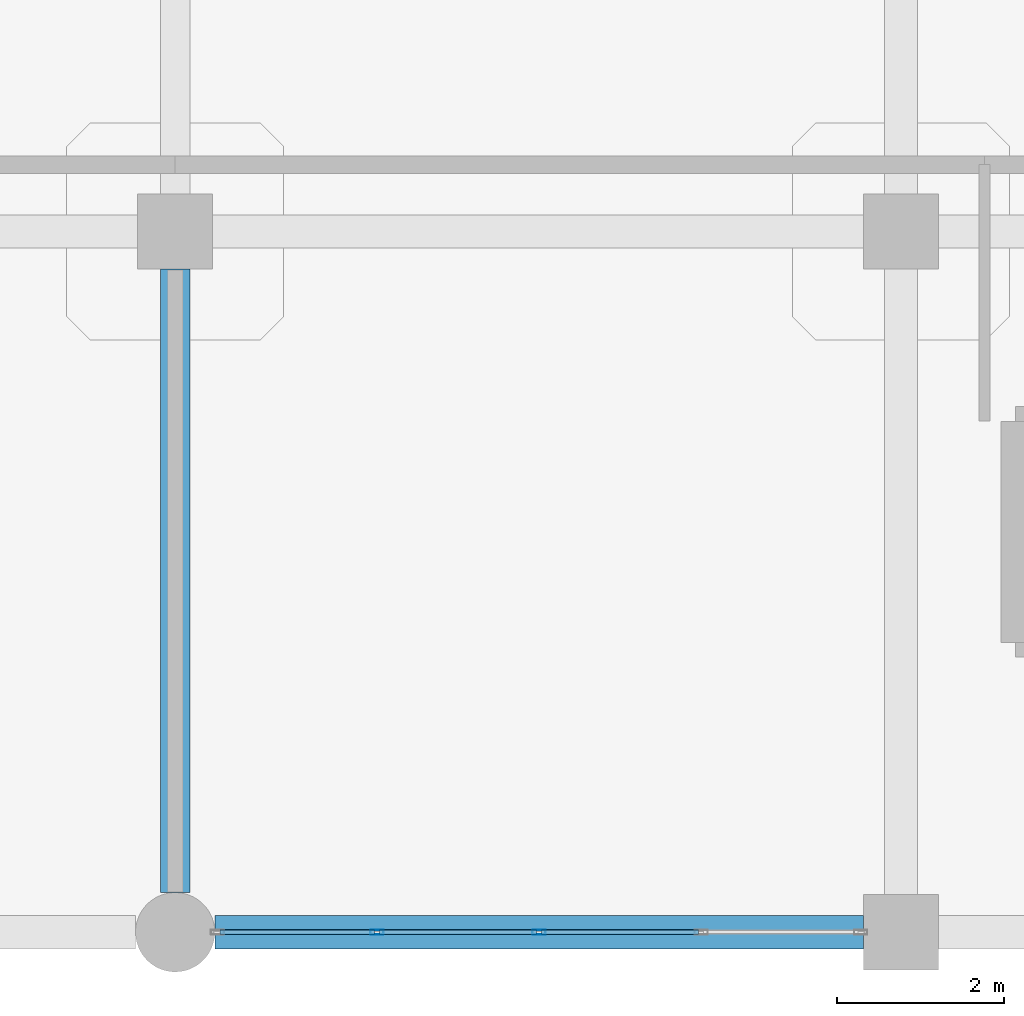
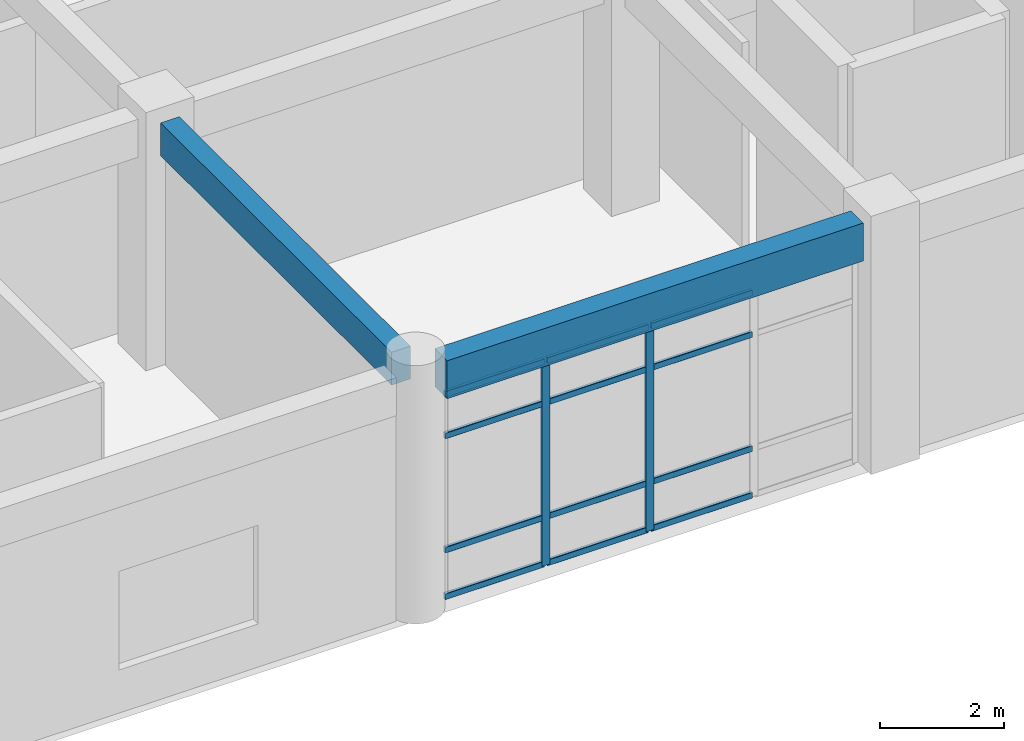
# One storey, part 31 of 120: 14 members, 2 beams, 1 element without a shape of its own.
"""IFC4 building model written with IfcOpenShell, lengths in metres."""

import ifcopenshell
import ifcopenshell.guid

model = None  # the IFC model being written
_history = None  # IfcOwnerHistory: only IFC2X3 demands one
_inside = {}  # id of a spatial element -> (the spatial element, [elements in it])
_under = {}  # id of a project, library or spatial element -> (it, [spatial elements below it])
_declared = {}  # id of a project -> (the project, [libraries it declares])
_typed = {}  # id of a type object -> (the type object, [elements of that type])
_made_of = {}  # id of a material, layer set ... -> (it, [elements and type objects made of it])


def new_model(schema):
    """Start an empty IFC model of exactly this schema.

    Asked for "IFC4X3", IfcOpenShell would pick the latest addendum, in which some entities
    have other attributes; the version numbers below select the first issue.
    IFC2X3 requires an IfcOwnerHistory on every rooted entity: one is made here for all.
    """
    global model, _history
    if schema == "IFC4X3":
        model = ifcopenshell.file(schema_version=(4, 3, 0, 0))
    else:
        model = ifcopenshell.file(schema=schema)
    _inside.clear()
    _under.clear()
    _declared.clear()
    _typed.clear()
    _made_of.clear()
    _history = None
    if model.schema == "IFC2X3":
        org = make("IfcOrganization", Name="unknown")
        user = make(
            "IfcPersonAndOrganization",
            ThePerson=make("IfcPerson", FamilyName="unknown"),
            TheOrganization=org,
        )
        app = make(
            "IfcApplication",
            ApplicationDeveloper=org,
            Version="unknown",
            ApplicationFullName="unknown",
            ApplicationIdentifier="unknown",
        )
        _history = make(
            "IfcOwnerHistory",
            OwningUser=user,
            OwningApplication=app,
            ChangeAction="ADDED",
            CreationDate=0,
        )
    return model


def make(cls, **values):
    """One entity of the class cls with the attributes given. An attribute that is None is left unset."""
    return model.create_entity(
        cls, **{name: value for name, value in values.items() if value is not None}
    )


def rooted(cls, **values):
    """An entity with a GlobalId (a new one), such as an element, a storey or a relation."""
    return make(cls, GlobalId=ifcopenshell.guid.new(), OwnerHistory=_history, **values)


def si_unit(unit_type, name, prefix=None):
    """IfcSIUnit, for example si_unit("LENGTHUNIT", "METRE", prefix="MILLI")."""
    return make("IfcSIUnit", UnitType=unit_type, Prefix=prefix, Name=name)


def derived_unit(unit_type, elements):
    """IfcDerivedUnit: a product of units, each with its exponent."""
    return make(
        "IfcDerivedUnit",
        Elements=[
            make("IfcDerivedUnitElement", Unit=unit, Exponent=power)
            for unit, power in elements
        ],
        UnitType=unit_type,
    )


def assignment(units):
    """IfcUnitAssignment: the units of a project."""
    return None if units is None else make("IfcUnitAssignment", Units=units)


def point(xyz):
    """IfcCartesianPoint."""
    return None if xyz is None else make("IfcCartesianPoint", Coordinates=xyz)


def direction(xyz):
    """IfcDirection."""
    return None if xyz is None else make("IfcDirection", DirectionRatios=xyz)


def frame(location, z_axis=None, x_axis=None):
    """IfcAxis2Placement3D, a coordinate frame: its origin and axes. An axis left out is left unset."""
    return make(
        "IfcAxis2Placement3D",
        Location=point(location),
        Axis=direction(z_axis),
        RefDirection=direction(x_axis),
    )


def frame_2d(location, x_axis=None):
    """IfcAxis2Placement2D, a coordinate frame in the plane: its origin and x axis."""
    return make(
        "IfcAxis2Placement2D", Location=point(location), RefDirection=direction(x_axis)
    )


def origin():
    """The frame at (0, 0, 0) with its axes left unset."""
    return frame((0.0, 0.0, 0.0))


def origin_2d():
    """The frame at (0, 0) in the plane with its x axis left unset."""
    return frame_2d((0.0, 0.0))


def place(relative_to, where):
    """IfcLocalPlacement: puts the frame where relative to a parent placement (None: the world)."""
    return make(
        "IfcLocalPlacement", PlacementRelTo=relative_to, RelativePlacement=where
    )


def context(
    kind, dimensions, precision=None, world=None, true_north=None, identifier=None
):
    """IfcGeometricRepresentationContext, for example the 3D "Model" context."""
    return make(
        "IfcGeometricRepresentationContext",
        ContextIdentifier=identifier,
        ContextType=kind,
        CoordinateSpaceDimension=dimensions,
        Precision=precision,
        WorldCoordinateSystem=world,
        TrueNorth=true_north,
    )


def subcontext(parent, identifier, kind, view, scale=None):
    """IfcGeometricRepresentationSubContext, for example "Body" below "Model"."""
    return make(
        "IfcGeometricRepresentationSubContext",
        ContextIdentifier=identifier,
        ContextType=kind,
        ParentContext=parent,
        TargetScale=scale,
        TargetView=view,
    )


def project(units=None, contexts=None):
    """IfcProject with its units and contexts."""
    return rooted(
        "IfcProject",
        Name="project",
        RepresentationContexts=contexts,
        UnitsInContext=assignment(units),
    )


def spatial(cls, under=None, at=None, **own):
    """A site, building, storey or space (cls), placed at a placement, below another one or the project."""
    s = rooted(cls, ObjectPlacement=at, **own)
    if under is not None:
        _under.setdefault(under.id(), (under, []))[1].append(s)
    return s


def profile(cls, at=None, kind="AREA", **sizes):
    """A parametric profile (cls). Its sizes go by their IFC names, for example OverallWidth=200.0."""
    return make(cls, ProfileType=kind, Position=at, **sizes)


def rectangle(**sizes):
    """IfcRectangleProfileDef."""
    return profile("IfcRectangleProfileDef", **sizes)


def hollow_rectangle(**sizes):
    """IfcRectangleHollowProfileDef."""
    return profile("IfcRectangleHollowProfileDef", **sizes)


def extrude(swept, where, along, depth):
    """IfcExtrudedAreaSolid: the profile swept, set in the frame where, extruded along a direction by depth."""
    return make(
        "IfcExtrudedAreaSolid",
        SweptArea=swept,
        Position=where,
        ExtrudedDirection=direction(along),
        Depth=depth,
    )


def shape(context_of_items, identifier, shape_type, items):
    """IfcShapeRepresentation: the items that make up one representation, for example the "Body"."""
    return make(
        "IfcShapeRepresentation",
        ContextOfItems=context_of_items,
        RepresentationIdentifier=identifier,
        RepresentationType=shape_type,
        Items=items,
    )


def material(Name=None, Category=None):
    """IfcMaterial."""
    return make("IfcMaterial", Name=Name, Category=Category)


def layer(
    of_material, thickness, ventilated=None, Name=None, Category=None, Priority=None
):
    """IfcMaterialLayer: one layer of a wall or slab, of a material (None: an air gap)."""
    return make(
        "IfcMaterialLayer",
        Material=of_material,
        LayerThickness=thickness,
        IsVentilated=ventilated,
        Name=Name,
        Category=Category,
        Priority=Priority,
    )


def layer_set(layers, Name=None):
    """IfcMaterialLayerSet."""
    return make("IfcMaterialLayerSet", MaterialLayers=layers, LayerSetName=Name)


def material_profile(
    of_material, cross_section, Name=None, Category=None, Priority=None
):
    """IfcMaterialProfile: a cross section and its material."""
    return make(
        "IfcMaterialProfile",
        Name=Name,
        Material=of_material,
        Profile=cross_section,
        Priority=Priority,
        Category=Category,
    )


def profile_set(profiles, Name=None, composite=None):
    """IfcMaterialProfileSet."""
    return make(
        "IfcMaterialProfileSet",
        Name=Name,
        MaterialProfiles=profiles,
        CompositeProfile=composite,
    )


def made_of(thing, what):
    """Note that an element or type object is made of a material, layer set ...; save() writes the relation."""
    if what is not None:
        _made_of.setdefault(what.id(), (what, []))[1].append(thing)
    return thing


def type_object(cls, material=None, **own):
    """A type object (cls), such as IfcWallType, which elements share."""
    return made_of(rooted(cls, **own), material)


def element(
    cls,
    number,
    at=None,
    inside=None,
    cuts=None,
    type_object=None,
    material=None,
    context=None,
    identifier="Body",
    shape_type=None,
    held_by="IfcProductDefinitionShape",
    body=None,
    shapes=None,
    **own,
):
    """One element of the class cls, such as IfcWall. Its Tag is "e" and its number.

    at: its placement. inside: the storey or other place that contains it. cuts: it is an
    opening in that element (IfcRelVoidsElement). A single representation is given by context,
    identifier, shape_type and body (its items); several are given by shapes. held_by: the class
    of the entity that holds the representations. save() writes the other relations.
    """
    e = rooted(cls, Tag="e%d" % number, ObjectPlacement=at, **own)
    if body is not None:
        shapes = [shape(context, identifier, shape_type, body)]
    if shapes is not None:
        e.Representation = make(held_by, Representations=shapes)
    if inside is not None:
        _inside.setdefault(inside.id(), (inside, []))[1].append(e)
    if cuts is not None:
        rooted(
            "IfcRelVoidsElement", RelatingBuildingElement=cuts, RelatedOpeningElement=e
        )
    if type_object is not None:
        _typed.setdefault(type_object.id(), (type_object, []))[1].append(e)
    return made_of(e, material)


def aggregate(whole, parts):
    """IfcRelAggregates: a whole, such as a stair, and the parts it consists of."""
    return rooted("IfcRelAggregates", RelatingObject=whole, RelatedObjects=parts)


def save(model, path):
    """Write the relations noted so far, then the file.

    IfcRelAggregates (storeys below a building ...), IfcRelContainedInSpatialStructure (elements
    in a storey), IfcRelDefinesByType, IfcRelAssociatesMaterial and IfcRelDeclares: one each for
    every whole, place, type object, material and project.
    """
    for whole, parts in _under.values():
        aggregate(whole, parts)
    for where, things in _inside.values():
        rooted(
            "IfcRelContainedInSpatialStructure",
            RelatedElements=things,
            RelatingStructure=where,
        )
    for kind, things in _typed.values():
        rooted("IfcRelDefinesByType", RelatedObjects=things, RelatingType=kind)
    for what, things in _made_of.values():
        rooted("IfcRelAssociatesMaterial", RelatedObjects=things, RelatingMaterial=what)
    for by, libraries in _declared.values():
        rooted("IfcRelDeclares", RelatingContext=by, RelatedDefinitions=libraries)
    model.write(path)


model = new_model("IFC4")

# Units and contexts
model_context = context("Model", 3, precision=1e-05, world=origin(), true_north=direction((0.0, 1.0)))
body_context = subcontext(model_context, "Body", "Model", "MODEL_VIEW")
ifc_project = project(units=[si_unit("LENGTHUNIT", "METRE"), si_unit("AREAUNIT", "SQUARE_METRE"), si_unit("VOLUMEUNIT", "CUBIC_METRE"), si_unit("PLANEANGLEUNIT", "RADIAN"), si_unit("MASSUNIT", "GRAM", prefix="KILO"), derived_unit("THERMALTRANSMITTANCEUNIT", [(si_unit("MASSUNIT", "GRAM", prefix="KILO"), 1), (si_unit("TIMEUNIT", "SECOND"), -3), (si_unit("THERMODYNAMICTEMPERATUREUNIT", "KELVIN"), -1)])], contexts=[model_context])

# Site, building, storey
site_placement = place(None, origin())
site = spatial("IfcSite", under=ifc_project, at=site_placement, CompositionType="ELEMENT")
building_placement = place(site_placement, origin())
building = spatial("IfcBuilding", under=site, at=building_placement, Name="Qinzheling Arcade Emporium", CompositionType="ELEMENT")
storey_placement = place(building_placement, frame((0.0, 0.0, 11.39990234375)))
storey = spatial("IfcBuildingStorey", under=building, at=storey_placement, Name="L03", CompositionType="ELEMENT", Elevation=11.39990234375)

# Curtain wall, members
ifc_material_1 = material(Name="Anodised aluminium and solar-control double glazing", Category="aluminium")
ifc_layer = layer(ifc_material_1, 0.159912109375, Name="Anodised aluminium and solar-control double glazing", Category="aluminium")
ifc_layer_set = layer_set([ifc_layer], Name="Anodised aluminium and solar-control double glazing")
curtain_wall_type = type_object("IfcCurtainWallType", Name="Food Hall Loggia Curtain Wall", PredefinedType="NOTDEFINED", material=ifc_layer_set)
curtain_wall_placement = place(storey_placement, origin())
curtain_wall = element("IfcCurtainWall", 1, at=curtain_wall_placement, inside=storey, type_object=curtain_wall_type, Name="Curtain Wall CW-L03-138", PredefinedType="NOTDEFINED")
ifc_material_2 = material(Name="Anodised aluminium 6063-T6", Category="aluminium")
ifc_material_profile_1 = material_profile(ifc_material_2, hollow_rectangle(XDim=0.06005859375, YDim=0.159912109375, WallThickness=0.00390625, InnerFilletRadius=0.00390625, OuterFilletRadius=0.008056640625, at=origin_2d()), Name="RHS 160x60x4", Category="aluminium")
ifc_profile_set_1 = profile_set([ifc_material_profile_1], Name="Anodised aluminium 6063-T6")
member_type_1 = type_object("IfcMemberType", Name="Curtain Wall Mullion RHS160x60", PredefinedType="MULLION", material=ifc_profile_set_1)
member_1_placement = place(storey_placement, frame((126.16259765625, 0.0, 0.0), z_axis=(0.0, 0.0, 1.0), x_axis=(0.0, -1.0, 0.0)))
member_1 = element("IfcMember", 2, at=member_1_placement, type_object=member_type_1, Name="CW04 mullion 3", PredefinedType="MULLION", context=body_context, shape_type="SweptSolid", body=[
    extrude(hollow_rectangle(XDim=0.06005859375, YDim=0.159912109375, WallThickness=0.00390625, InnerFilletRadius=0.00390625, OuterFilletRadius=0.008056640625, at=origin_2d()), origin(), (0.0, 0.0, 1.0), 4.05517578125),
])
member_2_placement = place(storey_placement, frame((124.2197265625, 0.0, 0.0), z_axis=(0.0, 0.0, 1.0), x_axis=(0.0, -1.0, 0.0)))
member_2 = element("IfcMember", 3, at=member_2_placement, type_object=member_type_1, Name="CW04 mullion 4", PredefinedType="MULLION", context=body_context, shape_type="SweptSolid", body=[
    extrude(hollow_rectangle(XDim=0.06005859375, YDim=0.159912109375, WallThickness=0.00390625, InnerFilletRadius=0.00390625, OuterFilletRadius=0.008056640625, at=origin_2d()), origin(), (0.0, 0.0, 1.0), 4.05517578125),
])
ifc_material_profile_2 = material_profile(ifc_material_2, hollow_rectangle(XDim=0.06005859375, YDim=0.1201171875, WallThickness=0.00390625, InnerFilletRadius=0.00390625, OuterFilletRadius=0.008056640625, at=origin_2d()), Name="RHS 120x60x4", Category="aluminium")
ifc_profile_set_2 = profile_set([ifc_material_profile_2], Name="Anodised aluminium 6063-T6")
member_type_2 = type_object("IfcMemberType", Name="Curtain Wall Transom RHS120x60", PredefinedType="USERDEFINED", material=ifc_profile_set_2)
member_3_placement = place(storey_placement, frame((128.0751953125, 0.0, 0.030029296875), z_axis=(-1.0, 0.0, 0.0), x_axis=(0.0, -1.0, 0.0)))
member_3 = element("IfcMember", 4, at=member_3_placement, type_object=member_type_2, Name="CW04 transom 2.1", ObjectType="TRANSOM", PredefinedType="USERDEFINED", context=body_context, shape_type="SweptSolid", body=[
    extrude(hollow_rectangle(XDim=0.06005859375, YDim=0.1201171875, WallThickness=0.00390625, InnerFilletRadius=0.00390625, OuterFilletRadius=0.008056640625, at=origin_2d()), origin(), (0.0, 0.0, 1.0), 1.8828125),
])
member_4_placement = place(storey_placement, frame((128.0751953125, 0.0, 0.9501953125), z_axis=(-1.0, 0.0, 0.0), x_axis=(0.0, -1.0, 0.0)))
member_4 = element("IfcMember", 5, at=member_4_placement, type_object=member_type_2, Name="CW04 transom 2.2", ObjectType="TRANSOM", PredefinedType="USERDEFINED", context=body_context, shape_type="SweptSolid", body=[
    extrude(hollow_rectangle(XDim=0.06005859375, YDim=0.1201171875, WallThickness=0.00390625, InnerFilletRadius=0.00390625, OuterFilletRadius=0.008056640625, at=origin_2d()), origin(), (0.0, 0.0, 1.0), 1.8828125),
])
member_5_placement = place(storey_placement, frame((128.0751953125, 0.0, 3.205078125), z_axis=(-1.0, 0.0, 0.0), x_axis=(0.0, -1.0, 0.0)))
member_5 = element("IfcMember", 6, at=member_5_placement, type_object=member_type_2, Name="CW04 transom 2.3", ObjectType="TRANSOM", PredefinedType="USERDEFINED", context=body_context, shape_type="SweptSolid", body=[
    extrude(hollow_rectangle(XDim=0.06005859375, YDim=0.1201171875, WallThickness=0.00390625, InnerFilletRadius=0.00390625, OuterFilletRadius=0.008056640625, at=origin_2d()), origin(), (0.0, 0.0, 1.0), 1.8828125),
])
member_6_placement = place(storey_placement, frame((128.0751953125, 0.0, 4.025146484375), z_axis=(-1.0, 0.0, 0.0), x_axis=(0.0, -1.0, 0.0)))
member_6 = element("IfcMember", 7, at=member_6_placement, type_object=member_type_2, Name="CW04 transom 2.4", ObjectType="TRANSOM", PredefinedType="USERDEFINED", context=body_context, shape_type="SweptSolid", body=[
    extrude(hollow_rectangle(XDim=0.06005859375, YDim=0.1201171875, WallThickness=0.00390625, InnerFilletRadius=0.00390625, OuterFilletRadius=0.008056640625, at=origin_2d()), origin(), (0.0, 0.0, 1.0), 1.8828125),
])
member_7_placement = place(storey_placement, frame((126.132568359375, 0.0, 0.030029296875), z_axis=(-1.0, 0.0, 0.0), x_axis=(0.0, -1.0, 0.0)))
member_7 = element("IfcMember", 8, at=member_7_placement, type_object=member_type_2, Name="CW04 transom 3.1", ObjectType="TRANSOM", PredefinedType="USERDEFINED", context=body_context, shape_type="SweptSolid", body=[
    extrude(hollow_rectangle(XDim=0.06005859375, YDim=0.1201171875, WallThickness=0.00390625, InnerFilletRadius=0.00390625, OuterFilletRadius=0.008056640625, at=origin_2d()), origin(), (0.0, 0.0, 1.0), 1.8828125),
])
member_8_placement = place(storey_placement, frame((126.132568359375, 0.0, 0.9501953125), z_axis=(-1.0, 0.0, 0.0), x_axis=(0.0, -1.0, 0.0)))
member_8 = element("IfcMember", 9, at=member_8_placement, type_object=member_type_2, Name="CW04 transom 3.2", ObjectType="TRANSOM", PredefinedType="USERDEFINED", context=body_context, shape_type="SweptSolid", body=[
    extrude(hollow_rectangle(XDim=0.06005859375, YDim=0.1201171875, WallThickness=0.00390625, InnerFilletRadius=0.00390625, OuterFilletRadius=0.008056640625, at=origin_2d()), origin(), (0.0, 0.0, 1.0), 1.8828125),
])
member_9_placement = place(storey_placement, frame((126.132568359375, 0.0, 3.205078125), z_axis=(-1.0, 0.0, 0.0), x_axis=(0.0, -1.0, 0.0)))
member_9 = element("IfcMember", 10, at=member_9_placement, type_object=member_type_2, Name="CW04 transom 3.3", ObjectType="TRANSOM", PredefinedType="USERDEFINED", context=body_context, shape_type="SweptSolid", body=[
    extrude(hollow_rectangle(XDim=0.06005859375, YDim=0.1201171875, WallThickness=0.00390625, InnerFilletRadius=0.00390625, OuterFilletRadius=0.008056640625, at=origin_2d()), origin(), (0.0, 0.0, 1.0), 1.8828125),
])
member_10_placement = place(storey_placement, frame((126.132568359375, 0.0, 4.025146484375), z_axis=(-1.0, 0.0, 0.0), x_axis=(0.0, -1.0, 0.0)))
member_10 = element("IfcMember", 11, at=member_10_placement, type_object=member_type_2, Name="CW04 transom 3.4", ObjectType="TRANSOM", PredefinedType="USERDEFINED", context=body_context, shape_type="SweptSolid", body=[
    extrude(hollow_rectangle(XDim=0.06005859375, YDim=0.1201171875, WallThickness=0.00390625, InnerFilletRadius=0.00390625, OuterFilletRadius=0.008056640625, at=origin_2d()), origin(), (0.0, 0.0, 1.0), 1.8828125),
])
member_11_placement = place(storey_placement, frame((124.189697265625, 0.0, 0.030029296875), z_axis=(-1.0, 0.0, 0.0), x_axis=(0.0, -1.0, 0.0)))
member_11 = element("IfcMember", 12, at=member_11_placement, type_object=member_type_2, Name="CW04 transom 4.1", ObjectType="TRANSOM", PredefinedType="USERDEFINED", context=body_context, shape_type="SweptSolid", body=[
    extrude(hollow_rectangle(XDim=0.06005859375, YDim=0.1201171875, WallThickness=0.00390625, InnerFilletRadius=0.00390625, OuterFilletRadius=0.008056640625, at=origin_2d()), origin(), (0.0, 0.0, 1.0), 1.852783203125),
])
member_12_placement = place(storey_placement, frame((124.189697265625, 0.0, 0.9501953125), z_axis=(-1.0, 0.0, 0.0), x_axis=(0.0, -1.0, 0.0)))
member_12 = element("IfcMember", 13, at=member_12_placement, type_object=member_type_2, Name="CW04 transom 4.2", ObjectType="TRANSOM", PredefinedType="USERDEFINED", context=body_context, shape_type="SweptSolid", body=[
    extrude(hollow_rectangle(XDim=0.06005859375, YDim=0.1201171875, WallThickness=0.00390625, InnerFilletRadius=0.00390625, OuterFilletRadius=0.008056640625, at=origin_2d()), origin(), (0.0, 0.0, 1.0), 1.852783203125),
])
member_13_placement = place(storey_placement, frame((124.189697265625, 0.0, 3.205078125), z_axis=(-1.0, 0.0, 0.0), x_axis=(0.0, -1.0, 0.0)))
member_13 = element("IfcMember", 14, at=member_13_placement, type_object=member_type_2, Name="CW04 transom 4.3", ObjectType="TRANSOM", PredefinedType="USERDEFINED", context=body_context, shape_type="SweptSolid", body=[
    extrude(hollow_rectangle(XDim=0.06005859375, YDim=0.1201171875, WallThickness=0.00390625, InnerFilletRadius=0.00390625, OuterFilletRadius=0.008056640625, at=origin_2d()), origin(), (0.0, 0.0, 1.0), 1.852783203125),
])
member_14_placement = place(storey_placement, frame((124.189697265625, 0.0, 4.025146484375), z_axis=(-1.0, 0.0, 0.0), x_axis=(0.0, -1.0, 0.0)))
member_14 = element("IfcMember", 15, at=member_14_placement, type_object=member_type_2, Name="CW04 transom 4.4", ObjectType="TRANSOM", PredefinedType="USERDEFINED", context=body_context, shape_type="SweptSolid", body=[
    extrude(hollow_rectangle(XDim=0.06005859375, YDim=0.1201171875, WallThickness=0.00390625, InnerFilletRadius=0.00390625, OuterFilletRadius=0.008056640625, at=origin_2d()), origin(), (0.0, 0.0, 1.0), 1.852783203125),
])
aggregate(curtain_wall, [member_1, member_2, member_3, member_4, member_5, member_6, member_7, member_8, member_9, member_10, member_11, member_12, member_13, member_14])

# Beams
ifc_material_3 = material(Name="Concrete C40", Category="concrete")
ifc_material_profile_3 = material_profile(ifc_material_3, rectangle(XDim=0.39990234375, YDim=0.75, at=origin_2d()), Name="RC 400x750", Category="concrete")
ifc_profile_set_3 = profile_set([ifc_material_profile_3], Name="Concrete C40")
beam_type_1 = type_object("IfcBeamType", Name="RC Interior Tie Beam 400x750 C40", PredefinedType="BEAM", material=ifc_profile_set_3)
beam_1_placement = place(storey_placement, frame((122.27490234375, 0.0, 4.445068359375), z_axis=(1.0, 0.0, 0.0), x_axis=(0.0, 1.0, 0.0)))
element("IfcBeam", 16, at=beam_1_placement, inside=storey, type_object=beam_type_1, Name="Beam BM-L03-X-A-15", PredefinedType="BEAM", context=body_context, shape_type="SweptSolid", body=[
    extrude(rectangle(XDim=0.39990234375, YDim=0.75, at=origin_2d()), origin(), (0.0, 0.0, 1.0), 7.775146484375),
])
ifc_material_profile_4 = material_profile(ifc_material_3, rectangle(XDim=0.35009765625, YDim=0.64990234375, at=origin_2d()), Name="RC 350x650", Category="concrete")
ifc_profile_set_4 = profile_set([ifc_material_profile_4], Name="Concrete C40")
beam_type_2 = type_object("IfcBeamType", Name="RC Spandrel Edge Beam 350x650 C40", PredefinedType="SPANDREL", material=ifc_profile_set_4)
beam_2_placement = place(storey_placement, frame((121.800048828125, 0.47509765625, 4.47998046875), z_axis=(0.0, 1.0, 0.0), x_axis=(-1.0, 0.0, 0.0)))
element("IfcBeam", 17, at=beam_2_placement, inside=storey, type_object=beam_type_2, Name="Beam BM-L03-Y-15-A", PredefinedType="SPANDREL", context=body_context, shape_type="SweptSolid", body=[
    extrude(rectangle(XDim=0.35009765625, YDim=0.64990234375, at=origin_2d()), origin(), (0.0, 0.0, 1.0), 7.474853515625),
])

save(model, "model.ifc")
